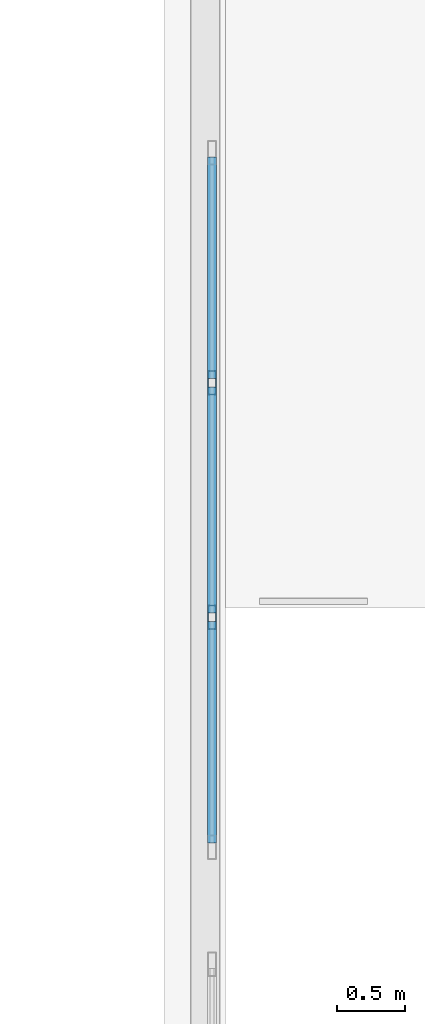
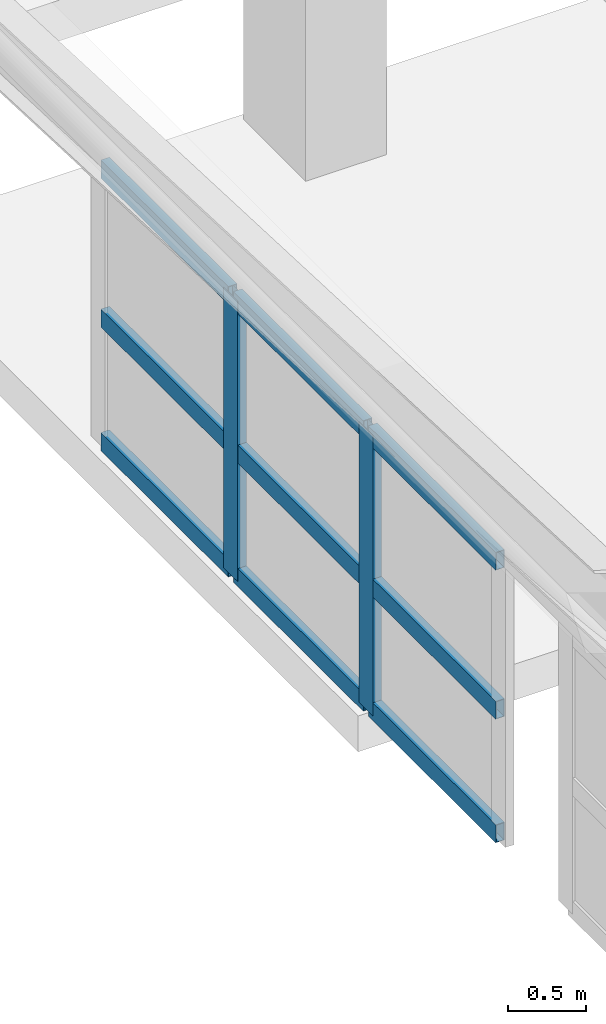
# One storey, part 19 of 128: 11 members, 1 element without a shape of its own.
"""IFC4 building model written with IfcOpenShell, lengths in metres."""

from ifc_helpers import new_model, si_unit, direction, frame, origin, origin_2d, place, context, subcontext, project, spatial, hollow_rectangle, extrude, material, layer, layer_set, material_profile, profile_set, type_object, element, aggregate, save


model = new_model("IFC4")

# Units and contexts
model_context = context("Model", 3, precision=1e-05, world=origin(), true_north=direction((0.0, 1.0)))
body_context = subcontext(model_context, "Body", "Model", "MODEL_VIEW")
ifc_project = project(units=[si_unit("LENGTHUNIT", "METRE"), si_unit("AREAUNIT", "SQUARE_METRE"), si_unit("VOLUMEUNIT", "CUBIC_METRE"), si_unit("PLANEANGLEUNIT", "RADIAN"), si_unit("MASSUNIT", "GRAM", prefix="KILO")], contexts=[model_context])

# Site, building, storey
site_placement = place(None, origin())
site = spatial("IfcSite", under=ifc_project, at=site_placement, CompositionType="ELEMENT")
building_placement = place(site_placement, origin())
building = spatial("IfcBuilding", under=site, at=building_placement, Name="Keldmere Railside Commons", CompositionType="ELEMENT")
storey_placement = place(building_placement, frame((0.0, 0.0, 4.159912109375)))
storey = spatial("IfcBuildingStorey", under=building, at=storey_placement, Name="L01", CompositionType="ELEMENT", Elevation=4.159912109375)

# Curtain wall, members
ifc_material = material(Name="Thermally Broken Aluminium", Category="aluminium")
ifc_layer = layer(ifc_material, 0.159912109375, Name="Community Hall Side Clerestory CW 5200x2200")
ifc_layer_set = layer_set([ifc_layer], Name="Thermally Broken Aluminium")
curtain_wall_type = type_object("IfcCurtainWallType", Name="Community Hall Side Clerestory CW 5200x2200", PredefinedType="NOTDEFINED", material=ifc_layer_set)
curtain_wall_placement = place(storey_placement, origin())
curtain_wall = element("IfcCurtainWall", 1, at=curtain_wall_placement, inside=storey, type_object=curtain_wall_type, Name="CW-06 CW-L01-209", PredefinedType="NOTDEFINED")
ifc_material_profile_1 = material_profile(ifc_material, hollow_rectangle(XDim=0.06494140625, YDim=0.179931640625, WallThickness=0.00390625, at=origin_2d()), Name="ALU-MULL-65x180")
ifc_profile_set_1 = profile_set([ifc_material_profile_1], Name="Thermally Broken Aluminium")
member_type_1 = type_object("IfcMemberType", Name="Civic Tall Curtain Wall Mullion 65x180", PredefinedType="MULLION", material=ifc_profile_set_1)
member_1_placement = place(storey_placement, frame((64.050048828125, 40.933349609375, 0.090087890625), z_axis=(0.0, 0.0, 1.0), x_axis=(-1.0, 0.0, 0.0)))
member_1 = element("IfcMember", 2, at=member_1_placement, type_object=member_type_1, Name="CW-06 mullion 2", PredefinedType="MULLION", context=body_context, shape_type="SweptSolid", body=[
    extrude(hollow_rectangle(XDim=0.06494140625, YDim=0.179931640625, WallThickness=0.00390625, at=origin_2d()), origin(), (0.0, 0.0, 1.0), 2.199951171875),
])
member_2_placement = place(storey_placement, frame((64.050048828125, 42.666748046875, 0.090087890625), z_axis=(0.0, 0.0, 1.0), x_axis=(-1.0, 0.0, 0.0)))
member_2 = element("IfcMember", 3, at=member_2_placement, type_object=member_type_1, Name="CW-06 mullion 3", PredefinedType="MULLION", context=body_context, shape_type="SweptSolid", body=[
    extrude(hollow_rectangle(XDim=0.06494140625, YDim=0.179931640625, WallThickness=0.00390625, at=origin_2d()), origin(), (0.0, 0.0, 1.0), 2.199951171875),
])
ifc_material_profile_2 = material_profile(ifc_material, hollow_rectangle(XDim=0.06494140625, YDim=0.139892578125, WallThickness=0.00390625, at=origin_2d()), Name="ALU-TRAN-65x140")
ifc_profile_set_2 = profile_set([ifc_material_profile_2], Name="Thermally Broken Aluminium")
member_type_2 = type_object("IfcMemberType", Name="Civic Tall Curtain Wall Transom 65x140", PredefinedType="USERDEFINED", material=ifc_profile_set_2)
member_3_placement = place(storey_placement, frame((64.050048828125, 39.264892578125, 0.12255859375), z_axis=(0.0, 1.0, 0.0), x_axis=(-1.0, 0.0, 0.0)))
member_3 = element("IfcMember", 4, at=member_3_placement, type_object=member_type_2, Name="CW-06 transom 1.1", ObjectType="TRANSOM", PredefinedType="USERDEFINED", context=body_context, shape_type="SweptSolid", body=[
    extrude(hollow_rectangle(XDim=0.06494140625, YDim=0.139892578125, WallThickness=0.00390625, at=origin_2d()), origin(), (0.0, 0.0, 1.0), 1.635986328125),
])
member_4_placement = place(storey_placement, frame((64.050048828125, 39.264892578125, 1.090087890625), z_axis=(0.0, 1.0, 0.0), x_axis=(-1.0, 0.0, 0.0)))
member_4 = element("IfcMember", 5, at=member_4_placement, type_object=member_type_2, Name="CW-06 transom 1.2", ObjectType="TRANSOM", PredefinedType="USERDEFINED", context=body_context, shape_type="SweptSolid", body=[
    extrude(hollow_rectangle(XDim=0.06494140625, YDim=0.139892578125, WallThickness=0.00390625, at=origin_2d()), origin(), (0.0, 0.0, 1.0), 1.635986328125),
])
member_5_placement = place(storey_placement, frame((64.050048828125, 39.264892578125, 2.257568359375), z_axis=(0.0, 1.0, 0.0), x_axis=(-1.0, 0.0, 0.0)))
member_5 = element("IfcMember", 6, at=member_5_placement, type_object=member_type_2, Name="CW-06 transom 1.3", ObjectType="TRANSOM", PredefinedType="USERDEFINED", context=body_context, shape_type="SweptSolid", body=[
    extrude(hollow_rectangle(XDim=0.06494140625, YDim=0.139892578125, WallThickness=0.00390625, at=origin_2d()), origin(), (0.0, 0.0, 1.0), 1.635986328125),
])
member_6_placement = place(storey_placement, frame((64.050048828125, 40.9658203125, 0.12255859375), z_axis=(0.0, 1.0, 0.0), x_axis=(-1.0, 0.0, 0.0)))
member_6 = element("IfcMember", 7, at=member_6_placement, type_object=member_type_2, Name="CW-06 transom 2.1", ObjectType="TRANSOM", PredefinedType="USERDEFINED", context=body_context, shape_type="SweptSolid", body=[
    extrude(hollow_rectangle(XDim=0.06494140625, YDim=0.139892578125, WallThickness=0.00390625, at=origin_2d()), origin(), (0.0, 0.0, 1.0), 1.66845703125),
])
member_7_placement = place(storey_placement, frame((64.050048828125, 40.9658203125, 1.090087890625), z_axis=(0.0, 1.0, 0.0), x_axis=(-1.0, 0.0, 0.0)))
member_7 = element("IfcMember", 8, at=member_7_placement, type_object=member_type_2, Name="CW-06 transom 2.2", ObjectType="TRANSOM", PredefinedType="USERDEFINED", context=body_context, shape_type="SweptSolid", body=[
    extrude(hollow_rectangle(XDim=0.06494140625, YDim=0.139892578125, WallThickness=0.00390625, at=origin_2d()), origin(), (0.0, 0.0, 1.0), 1.66845703125),
])
member_8_placement = place(storey_placement, frame((64.050048828125, 40.9658203125, 2.257568359375), z_axis=(0.0, 1.0, 0.0), x_axis=(-1.0, 0.0, 0.0)))
member_8 = element("IfcMember", 9, at=member_8_placement, type_object=member_type_2, Name="CW-06 transom 2.3", ObjectType="TRANSOM", PredefinedType="USERDEFINED", context=body_context, shape_type="SweptSolid", body=[
    extrude(hollow_rectangle(XDim=0.06494140625, YDim=0.139892578125, WallThickness=0.00390625, at=origin_2d()), origin(), (0.0, 0.0, 1.0), 1.66845703125),
])
member_9_placement = place(storey_placement, frame((64.050048828125, 42.69921875, 0.12255859375), z_axis=(0.0, 1.0, 0.0), x_axis=(-1.0, 0.0, 0.0)))
member_9 = element("IfcMember", 10, at=member_9_placement, type_object=member_type_2, Name="CW-06 transom 3.1", ObjectType="TRANSOM", PredefinedType="USERDEFINED", context=body_context, shape_type="SweptSolid", body=[
    extrude(hollow_rectangle(XDim=0.06494140625, YDim=0.139892578125, WallThickness=0.00390625, at=origin_2d()), origin(), (0.0, 0.0, 1.0), 1.6357421875),
])
member_10_placement = place(storey_placement, frame((64.050048828125, 42.69921875, 1.090087890625), z_axis=(0.0, 1.0, 0.0), x_axis=(-1.0, 0.0, 0.0)))
member_10 = element("IfcMember", 11, at=member_10_placement, type_object=member_type_2, Name="CW-06 transom 3.2", ObjectType="TRANSOM", PredefinedType="USERDEFINED", context=body_context, shape_type="SweptSolid", body=[
    extrude(hollow_rectangle(XDim=0.06494140625, YDim=0.139892578125, WallThickness=0.00390625, at=origin_2d()), origin(), (0.0, 0.0, 1.0), 1.6357421875),
])
member_11_placement = place(storey_placement, frame((64.050048828125, 42.69921875, 2.257568359375), z_axis=(0.0, 1.0, 0.0), x_axis=(-1.0, 0.0, 0.0)))
member_11 = element("IfcMember", 12, at=member_11_placement, type_object=member_type_2, Name="CW-06 transom 3.3", ObjectType="TRANSOM", PredefinedType="USERDEFINED", context=body_context, shape_type="SweptSolid", body=[
    extrude(hollow_rectangle(XDim=0.06494140625, YDim=0.139892578125, WallThickness=0.00390625, at=origin_2d()), origin(), (0.0, 0.0, 1.0), 1.6357421875),
])
aggregate(curtain_wall, [member_1, member_2, member_3, member_4, member_5, member_6, member_7, member_8, member_9, member_10, member_11])

save(model, "model.ifc")
